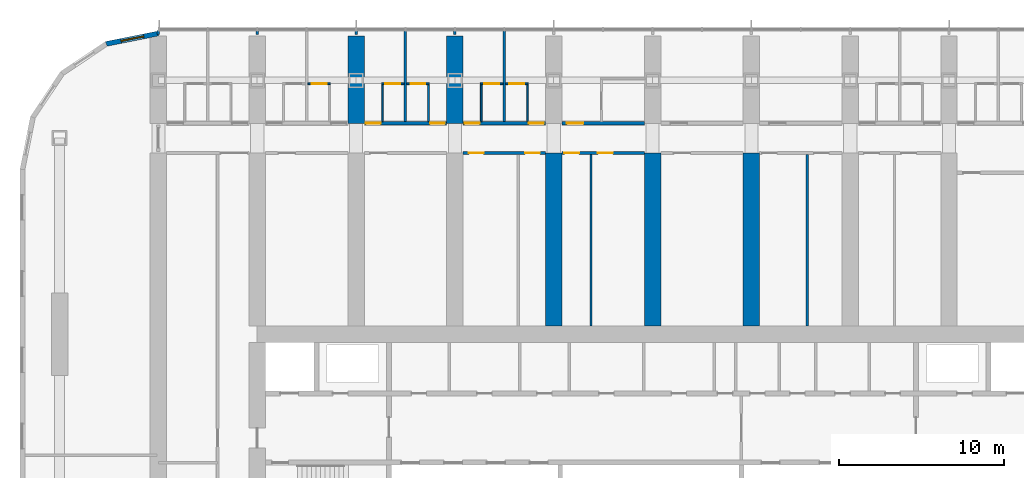
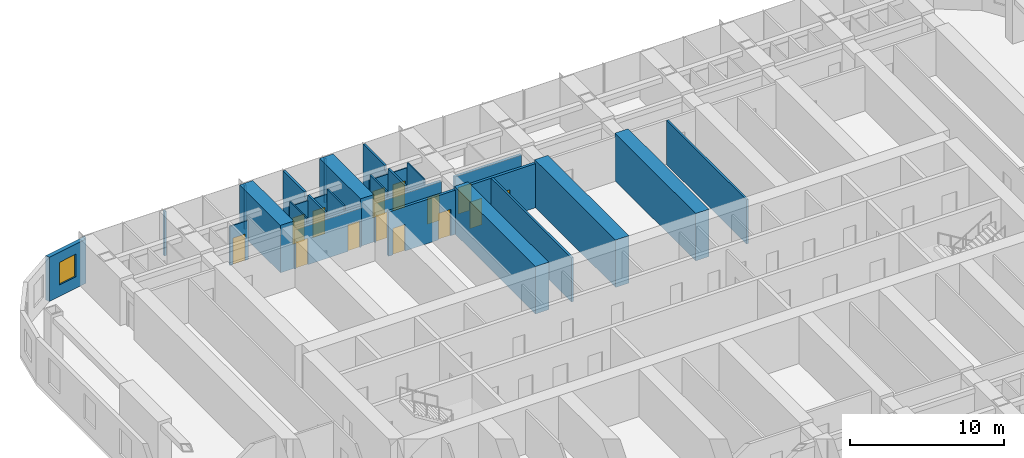
# One storey, part 16 of 25: 28 walls, 14 doors, 1 window, 15 openings.
"""IFC4 building model written with IfcOpenShell, lengths in metres."""

from ifc_helpers import new_model, si_unit, direction, frame, frame_2d, origin, place, context, subcontext, project, spatial, polyline, rectangle, outline, extrude, material, layer, layer_set, type_object, element, fill, save


model = new_model("IFC4")

# Units and contexts
model_context = context("Model", 3, precision=1e-05, world=origin(), true_north=direction((0.0, 1.0)))
body_context = subcontext(model_context, "Body", "Model", "MODEL_VIEW")
ifc_project = project(units=[si_unit("LENGTHUNIT", "METRE"), si_unit("AREAUNIT", "SQUARE_METRE"), si_unit("VOLUMEUNIT", "CUBIC_METRE"), si_unit("PLANEANGLEUNIT", "RADIAN"), si_unit("MASSUNIT", "GRAM", prefix="KILO")], contexts=[model_context])

# Site, building, storey
site_placement = place(None, origin())
site = spatial("IfcSite", under=ifc_project, at=site_placement, CompositionType="ELEMENT")
building_placement = place(site_placement, origin())
building = spatial("IfcBuilding", under=site, at=building_placement, Name="Orbita Commons", CompositionType="ELEMENT")
storey_placement = place(building_placement, frame((0.0, 0.0, 31.449951171875)))
storey = spatial("IfcBuildingStorey", under=building, at=storey_placement, Name="L07", CompositionType="ELEMENT", Elevation=31.449951171875)

# Wall, openings, doors
ifc_material_1 = material(Name="Concrete blockwork", Category="masonry")
ifc_layer_1 = layer(ifc_material_1, 0.199951171875)
ifc_layer_set_1 = layer_set([ifc_layer_1], Name="Concrete blockwork")
wall_type_1 = type_object("IfcWallType", Name="Corridor wall 200 blockwork", PredefinedType="SOLIDWALL", material=ifc_layer_set_1)
wall_1_placement = place(storey_placement, frame((24.5, 51.0, 0.0), z_axis=(0.0, 0.0, 1.0), x_axis=(1.0, 0.0, 0.0)))
wall_1 = element("IfcWall", 1, at=wall_1_placement, inside=storey, type_object=wall_type_1, Name="Corridor wall 200 blockwork L07", PredefinedType="SOLIDWALL", context=body_context, shape_type="SweptSolid", body=[
    extrude(outline(polyline([(0.0, 0.0), (5.0, 0.0), (5.0, 3.10009765625), (0.0, 3.10009765625), (0.0, 0.0)])), frame((0.0, 0.10009765625, 0.0), z_axis=(0.0, -1.0, 0.0), x_axis=(1.0, 0.0, 0.0)), (0.0, 0.0, 1.0), 0.199951171875),
])
opening_1_placement = place(wall_1_placement, frame((0.10009765625, 0.0, 0.0)))
opening_1 = element("IfcOpeningElement", 2, at=opening_1_placement, cuts=wall_1, Name="Opening D11", PredefinedType="OPENING", context=body_context, shape_type="SweptSolid", body=[
    extrude(rectangle(XDim=0.89990234375, YDim=2.10009765625, at=frame_2d((0.449951171875, 1.050048828125))), frame((0.0, 0.10986328125, 0.0), z_axis=(0.0, -1.0, 0.0), x_axis=(1.0, 0.0, 0.0)), (0.0, 0.0, 1.0), 0.219970703125),
])
opening_2_placement = place(wall_1_placement, frame((4.0, 0.0, 0.0)))
opening_2 = element("IfcOpeningElement", 3, at=opening_2_placement, cuts=wall_1, Name="Opening D11", PredefinedType="OPENING", context=body_context, shape_type="SweptSolid", body=[
    extrude(rectangle(XDim=0.89990234375, YDim=2.10009765625, at=frame_2d((0.449951171875, 1.050048828125))), frame((0.0, 0.10986328125, 0.0), z_axis=(0.0, -1.0, 0.0), x_axis=(1.0, 0.0, 0.0)), (0.0, 0.0, 1.0), 0.219970703125),
])
ifc_material_2 = material(Name="Steel-faced fire door leaf", Category="steel")
door_type_1 = type_object("IfcDoorType", Name="Corridor door 20 min 900x2100", OperationType="SINGLE_SWING_LEFT", PredefinedType="DOOR", material=ifc_material_2)
door_1_placement = place(opening_1_placement, origin())
door_1 = element("IfcDoor", 4, at=door_1_placement, inside=storey, type_object=door_type_1, Name="House bedroom L07-N04 door", OperationType="SINGLE_SWING_LEFT", OverallHeight=2.10009765625, OverallWidth=0.89990234375, PredefinedType="DOOR", context=body_context, shape_type="SweptSolid", body=[
    extrude(rectangle(XDim=0.89990234375, YDim=2.10009765625, at=frame_2d((0.449951171875, 1.050048828125))), frame((0.0, 0.02490234375, 0.0), z_axis=(0.0, -1.0, 0.0), x_axis=(1.0, 0.0, 0.0)), (0.0, 0.0, 1.0), 0.050048828125),
])
fill(opening_1, door_1)
door_2_placement = place(opening_2_placement, origin())
door_2 = element("IfcDoor", 5, at=door_2_placement, inside=storey, type_object=door_type_1, Name="House bedroom L07-N05 door", OperationType="SINGLE_SWING_LEFT", OverallHeight=2.10009765625, OverallWidth=0.89990234375, PredefinedType="DOOR", context=body_context, shape_type="SweptSolid", body=[
    extrude(rectangle(XDim=0.89990234375, YDim=2.10009765625, at=frame_2d((0.449951171875, 1.050048828125))), frame((0.0, 0.02490234375, 0.0), z_axis=(0.0, -1.0, 0.0), x_axis=(1.0, 0.0, 0.0)), (0.0, 0.0, 1.0), 0.050048828125),
])
fill(opening_2, door_2)

wall_2_placement = place(storey_placement, frame((30.5, 51.0, 0.0), z_axis=(0.0, 0.0, 1.0), x_axis=(1.0, 0.0, 0.0)))
wall_2 = element("IfcWall", 6, at=wall_2_placement, inside=storey, type_object=wall_type_1, Name="Corridor wall 200 blockwork L07", PredefinedType="SOLIDWALL", context=body_context, shape_type="SweptSolid", body=[
    extrude(outline(polyline([(0.0, 0.0), (5.0, 0.0), (5.0, 3.10009765625), (0.0, 3.10009765625), (0.0, 0.0)])), frame((0.0, 0.10009765625, 0.0), z_axis=(0.0, -1.0, 0.0), x_axis=(1.0, 0.0, 0.0)), (0.0, 0.0, 1.0), 0.199951171875),
])
opening_3_placement = place(wall_2_placement, frame((0.10009765625, 0.0, 0.0)))
opening_3 = element("IfcOpeningElement", 7, at=opening_3_placement, cuts=wall_2, Name="Opening D11", PredefinedType="OPENING", context=body_context, shape_type="SweptSolid", body=[
    extrude(rectangle(XDim=0.89990234375, YDim=2.10009765625, at=frame_2d((0.449951171875, 1.050048828125))), frame((0.0, 0.10986328125, 0.0), z_axis=(0.0, -1.0, 0.0), x_axis=(1.0, 0.0, 0.0)), (0.0, 0.0, 1.0), 0.219970703125),
])
opening_4_placement = place(wall_2_placement, frame((4.0, 0.0, 0.0)))
opening_4 = element("IfcOpeningElement", 8, at=opening_4_placement, cuts=wall_2, Name="Opening D11", PredefinedType="OPENING", context=body_context, shape_type="SweptSolid", body=[
    extrude(rectangle(XDim=0.89990234375, YDim=2.10009765625, at=frame_2d((0.449951171875, 1.050048828125))), frame((0.0, 0.10986328125, 0.0), z_axis=(0.0, -1.0, 0.0), x_axis=(1.0, 0.0, 0.0)), (0.0, 0.0, 1.0), 0.219970703125),
])
door_3_placement = place(opening_3_placement, origin())
door_3 = element("IfcDoor", 9, at=door_3_placement, inside=storey, type_object=door_type_1, Name="House bedroom L07-N06 door", OperationType="SINGLE_SWING_LEFT", OverallHeight=2.10009765625, OverallWidth=0.89990234375, PredefinedType="DOOR", context=body_context, shape_type="SweptSolid", body=[
    extrude(rectangle(XDim=0.89990234375, YDim=2.10009765625, at=frame_2d((0.449951171875, 1.050048828125))), frame((0.0, 0.02490234375, 0.0), z_axis=(0.0, -1.0, 0.0), x_axis=(1.0, 0.0, 0.0)), (0.0, 0.0, 1.0), 0.050048828125),
])
fill(opening_3, door_3)
door_4_placement = place(opening_4_placement, origin())
door_4 = element("IfcDoor", 10, at=door_4_placement, inside=storey, type_object=door_type_1, Name="House bedroom L07-N07 door", OperationType="SINGLE_SWING_LEFT", OverallHeight=2.10009765625, OverallWidth=0.89990234375, PredefinedType="DOOR", context=body_context, shape_type="SweptSolid", body=[
    extrude(rectangle(XDim=0.89990234375, YDim=2.10009765625, at=frame_2d((0.449951171875, 1.050048828125))), frame((0.0, 0.02490234375, 0.0), z_axis=(0.0, -1.0, 0.0), x_axis=(1.0, 0.0, 0.0)), (0.0, 0.0, 1.0), 0.050048828125),
])
fill(opening_4, door_4)

# Wall, opening, door
wall_3_placement = place(storey_placement, frame((36.5, 51.0, 0.0), z_axis=(0.0, 0.0, 1.0), x_axis=(1.0, 0.0, 0.0)))
wall_3 = element("IfcWall", 11, at=wall_3_placement, inside=storey, type_object=wall_type_1, Name="Corridor wall 200 blockwork L07", PredefinedType="SOLIDWALL", context=body_context, shape_type="SweptSolid", body=[
    extrude(outline(polyline([(0.0, 0.0), (5.0, 0.0), (5.0, 3.10009765625), (0.0, 3.10009765625), (0.0, 0.0)])), frame((0.0, 0.10009765625, 0.0), z_axis=(0.0, -1.0, 0.0), x_axis=(1.0, 0.0, 0.0)), (0.0, 0.0, 1.0), 0.199951171875),
])
opening_5_placement = place(wall_3_placement, frame((0.300048828125, 0.0, 0.0)))
opening_5 = element("IfcOpeningElement", 12, at=opening_5_placement, cuts=wall_3, Name="Opening D06", PredefinedType="OPENING", context=body_context, shape_type="SweptSolid", body=[
    extrude(rectangle(XDim=1.0, YDim=2.10009765625, at=frame_2d((0.5, 1.050048828125))), frame((0.0, 0.10986328125, 0.0), z_axis=(0.0, -1.0, 0.0), x_axis=(1.0, 0.0, 0.0)), (0.0, 0.0, 1.0), 0.219970703125),
])
ifc_material_3 = material(Name="Steel-faced fire door leaf", Category="steel")
door_type_2 = type_object("IfcDoorType", Name="Corridor door 20 min 1000x2100", OperationType="SINGLE_SWING_LEFT", PredefinedType="DOOR", material=ifc_material_3)
door_5_placement = place(opening_5_placement, origin())
door_5 = element("IfcDoor", 13, at=door_5_placement, inside=storey, type_object=door_type_2, Name="Accessible bedroom L07-N08 door", OperationType="SINGLE_SWING_LEFT", OverallHeight=2.10009765625, OverallWidth=1.0, PredefinedType="DOOR", context=body_context, shape_type="SweptSolid", body=[
    extrude(rectangle(XDim=1.0, YDim=2.10009765625, at=frame_2d((0.5, 1.050048828125))), frame((0.0, 0.02490234375, 0.0), z_axis=(0.0, -1.0, 0.0), x_axis=(1.0, 0.0, 0.0)), (0.0, 0.0, 1.0), 0.050048828125),
])
fill(opening_5, door_5)

# Wall, openings, doors
ifc_material_4 = material(Name="Hollow concrete block 200", Category="concrete")
ifc_layer_2 = layer(ifc_material_4, 0.199951171875)
ifc_layer_set_2 = layer_set([ifc_layer_2], Name="Hollow concrete block 200")
wall_type_2 = type_object("IfcWallType", Name="Corridor wall 200 hollow concrete block", PredefinedType="SOLIDWALL", material=ifc_layer_set_2)
wall_4_placement = place(storey_placement, frame((30.5, 49.199951171875, 0.0), z_axis=(0.0, 0.0, 1.0), x_axis=(1.0, 0.0, 0.0)))
wall_4 = element("IfcWall", 14, at=wall_4_placement, inside=storey, type_object=wall_type_2, Name="Corridor wall 200 hollow concrete block L07", PredefinedType="SOLIDWALL", context=body_context, shape_type="SweptSolid", body=[
    extrude(rectangle(XDim=5.0, YDim=0.199951171875, at=frame_2d((2.5, 0.0))), origin(), (0.0, 0.0, 1.0), 3.5),
])
opening_6_placement = place(wall_4_placement, frame((0.35009765625, 0.0, 0.0)))
opening_6 = element("IfcOpeningElement", 15, at=opening_6_placement, cuts=wall_4, Name="Opening D11", PredefinedType="OPENING", context=body_context, shape_type="SweptSolid", body=[
    extrude(rectangle(XDim=0.89990234375, YDim=2.10009765625, at=frame_2d((0.449951171875, 1.050048828125))), frame((0.0, 0.10986328125, 0.0), z_axis=(0.0, -1.0, 0.0), x_axis=(1.0, 0.0, 0.0)), (0.0, 0.0, 1.0), 0.219970703125),
])
opening_7_placement = place(wall_4_placement, frame((3.760009765625, 0.0, 0.0)))
opening_7 = element("IfcOpeningElement", 16, at=opening_7_placement, cuts=wall_4, Name="Opening D11", PredefinedType="OPENING", context=body_context, shape_type="SweptSolid", body=[
    extrude(rectangle(XDim=0.89990234375, YDim=2.10009765625, at=frame_2d((0.449951171875, 1.050048828125))), frame((0.0, 0.10986328125, 0.0), z_axis=(0.0, -1.0, 0.0), x_axis=(1.0, 0.0, 0.0)), (0.0, 0.0, 1.0), 0.219970703125),
])
door_6_placement = place(opening_6_placement, origin())
door_6 = element("IfcDoor", 17, at=door_6_placement, inside=storey, type_object=door_type_1, Name="Bulk and luggage store L07-BDN30 door", OperationType="SINGLE_SWING_LEFT", OverallHeight=2.10009765625, OverallWidth=0.89990234375, PredefinedType="DOOR", context=body_context, shape_type="SweptSolid", body=[
    extrude(rectangle(XDim=0.89990234375, YDim=2.10009765625, at=frame_2d((0.449951171875, 1.050048828125))), frame((0.0, 0.02490234375, 0.0), z_axis=(0.0, -1.0, 0.0), x_axis=(1.0, 0.0, 0.0)), (0.0, 0.0, 1.0), 0.050048828125),
])
fill(opening_6, door_6)
door_7_placement = place(opening_7_placement, origin())
door_7 = element("IfcDoor", 18, at=door_7_placement, inside=storey, type_object=door_type_1, Name="Battery and UPS room L07-BDN30n door", OperationType="SINGLE_SWING_LEFT", OverallHeight=2.10009765625, OverallWidth=0.89990234375, PredefinedType="DOOR", context=body_context, shape_type="SweptSolid", body=[
    extrude(rectangle(XDim=0.89990234375, YDim=2.10009765625, at=frame_2d((0.449951171875, 1.050048828125))), frame((0.0, 0.02490234375, 0.0), z_axis=(0.0, -1.0, 0.0), x_axis=(1.0, 0.0, 0.0)), (0.0, 0.0, 1.0), 0.050048828125),
])
fill(opening_7, door_7)

wall_5_placement = place(storey_placement, frame((36.5, 49.199951171875, 0.0), z_axis=(0.0, 0.0, 1.0), x_axis=(1.0, 0.0, 0.0)))
wall_5 = element("IfcWall", 19, at=wall_5_placement, inside=storey, type_object=wall_type_2, Name="Corridor wall 200 hollow concrete block L07", PredefinedType="SOLIDWALL", context=body_context, shape_type="SweptSolid", body=[
    extrude(rectangle(XDim=5.0, YDim=0.199951171875, at=frame_2d((2.5, 0.0))), origin(), (0.0, 0.0, 1.0), 3.5),
])
opening_8_placement = place(wall_5_placement, frame((0.14990234375, 0.0, 0.0)))
opening_8 = element("IfcOpeningElement", 20, at=opening_8_placement, cuts=wall_5, Name="Opening D11", PredefinedType="OPENING", context=body_context, shape_type="SweptSolid", body=[
    extrude(rectangle(XDim=0.89990234375, YDim=2.10009765625, at=frame_2d((0.449951171875, 1.050048828125))), frame((0.0, 0.10986328125, 0.0), z_axis=(0.0, -1.0, 0.0), x_axis=(1.0, 0.0, 0.0)), (0.0, 0.0, 1.0), 0.219970703125),
])
opening_9_placement = place(wall_5_placement, frame((2.18994140625, 0.0, 0.0)))
opening_9 = element("IfcOpeningElement", 21, at=opening_9_placement, cuts=wall_5, Name="Opening D11", PredefinedType="OPENING", context=body_context, shape_type="SweptSolid", body=[
    extrude(rectangle(XDim=0.89990234375, YDim=2.10009765625, at=frame_2d((0.449951171875, 1.050048828125))), frame((0.0, 0.10986328125, 0.0), z_axis=(0.0, -1.0, 0.0), x_axis=(1.0, 0.0, 0.0)), (0.0, 0.0, 1.0), 0.219970703125),
])
door_8_placement = place(opening_8_placement, origin())
door_8 = element("IfcDoor", 22, at=door_8_placement, inside=storey, type_object=door_type_1, Name="Sprinkler valve room L07-BDN36n door", OperationType="SINGLE_SWING_LEFT", OverallHeight=2.10009765625, OverallWidth=0.89990234375, PredefinedType="DOOR", context=body_context, shape_type="SweptSolid", body=[
    extrude(rectangle(XDim=0.89990234375, YDim=2.10009765625, at=frame_2d((0.449951171875, 1.050048828125))), frame((0.0, 0.02490234375, 0.0), z_axis=(0.0, -1.0, 0.0), x_axis=(1.0, 0.0, 0.0)), (0.0, 0.0, 1.0), 0.050048828125),
])
fill(opening_8, door_8)
door_9_placement = place(opening_9_placement, origin())
door_9 = element("IfcDoor", 23, at=door_9_placement, inside=storey, type_object=door_type_1, Name="Linen store L07-BDN36 door", OperationType="SINGLE_SWING_LEFT", OverallHeight=2.10009765625, OverallWidth=0.89990234375, PredefinedType="DOOR", context=body_context, shape_type="SweptSolid", body=[
    extrude(rectangle(XDim=0.89990234375, YDim=2.10009765625, at=frame_2d((0.449951171875, 1.050048828125))), frame((0.0, 0.02490234375, 0.0), z_axis=(0.0, -1.0, 0.0), x_axis=(1.0, 0.0, 0.0)), (0.0, 0.0, 1.0), 0.050048828125),
])
fill(opening_9, door_9)

# Walls
ifc_material_5 = material(Name="Concrete C50/60", Category="concrete")
ifc_layer_3 = layer(ifc_material_5, 1.0)
ifc_layer_set_3 = layer_set([ifc_layer_3], Name="Concrete C50/60")
wall_type_3 = type_object("IfcWallType", Name="Cross wall 1000 C50/60", PredefinedType="SHEAR", material=ifc_layer_set_3)
for number, where, z_axis, x_axis, name in (
    (24, (24.0, 51.0, 0.0), (0.0, 0.0, 1.0), (0.0, 1.0, 0.0), "Cross wall 5 north outer L07"),
    (25, (30.0, 51.0, 0.0), (0.0, 0.0, 1.0), (0.0, 1.0, 0.0), "Cross wall 6 north outer L07"),
):
    element("IfcWall", number, at=place(storey_placement, frame(where, z_axis=z_axis, x_axis=x_axis)), inside=storey, type_object=wall_type_3, Name=name, PredefinedType="SHEAR", context=body_context, shape_type="SweptSolid", body=[
        extrude(rectangle(XDim=5.300048828125, YDim=1.0, at=frame_2d((2.64990234375, 0.0))), origin(), (0.0, 0.0, 1.0), 3.75),
    ])
for number, where, z_axis, x_axis, name in (
    (26, (36.0, 38.699951171875, 0.0), (0.0, 0.0, 1.0), (0.0, 1.0, 0.0), "Cross wall 7 north inner L07"),
    (27, (42.0, 38.699951171875, 0.0), (0.0, 0.0, 1.0), (0.0, 1.0, 0.0), "Cross wall 8 north inner L07"),
    (28, (48.0, 38.699951171875, 0.0), (0.0, 0.0, 1.0), (0.0, 1.0, 0.0), "Cross wall 9 north inner L07"),
):
    element("IfcWall", number, at=place(storey_placement, frame(where, z_axis=z_axis, x_axis=x_axis)), inside=storey, type_object=wall_type_3, Name=name, PredefinedType="SHEAR", context=body_context, shape_type="SweptSolid", body=[
        extrude(rectangle(XDim=10.5, YDim=1.0, at=frame_2d((5.25, 0.0))), origin(), (0.0, 0.0, 1.0), 3.75),
    ])

# Wall, opening, door
ifc_material_6 = material(Name="Moisture-resistant plasterboard on steel studs", Category="steel")
ifc_layer_4 = layer(ifc_material_6, 0.10009765625)
ifc_layer_set_4 = layer_set([ifc_layer_4], Name="Moisture-resistant plasterboard on steel studs")
wall_type_4 = type_object("IfcWallType", Name="En-suite partition 100", PredefinedType="PARTITIONING", material=ifc_layer_set_4)
wall_6_placement = place(storey_placement, frame((21.074951171875, 53.40185546875, 0.0), z_axis=(0.0, 0.0, 1.0), x_axis=(1.0, 0.0, 0.0)))
wall_6 = element("IfcWall", 29, at=wall_6_placement, inside=storey, type_object=wall_type_4, Name="En-suite partition 100 L07", PredefinedType="PARTITIONING", context=body_context, shape_type="SweptSolid", body=[
    extrude(outline(polyline([(0.0, 0.0), (1.375, 0.0), (1.375, 3.10009765625), (0.0, 3.10009765625), (0.0, 0.0)])), frame((0.0, 0.050048828125, 0.0), z_axis=(0.0, -1.0, 0.0), x_axis=(1.0, 0.0, 0.0)), (0.0, 0.0, 1.0), 0.10009765625),
])
opening_10_placement = place(wall_6_placement, frame((0.237548828125, 0.0, 0.0)))
opening_10 = element("IfcOpeningElement", 30, at=opening_10_placement, cuts=wall_6, Name="Opening D09", PredefinedType="OPENING", context=body_context, shape_type="SweptSolid", body=[
    extrude(rectangle(XDim=0.89990234375, YDim=2.10009765625, at=frame_2d((0.449951171875, 1.050048828125))), frame((0.0, 0.06005859375, 0.0), z_axis=(0.0, -1.0, 0.0), x_axis=(1.0, 0.0, 0.0)), (0.0, 0.0, 1.0), 0.1201171875),
])
ifc_material_7 = material(Name="Laminated timber door leaf", Category="wood")
door_type_3 = type_object("IfcDoorType", Name="En-suite door 900x2100", OperationType="SINGLE_SWING_RIGHT", PredefinedType="DOOR", material=ifc_material_7)
door_10_placement = place(opening_10_placement, origin())
door_10 = element("IfcDoor", 31, at=door_10_placement, inside=storey, type_object=door_type_3, Name="En-suite L07-N03 door", OperationType="SINGLE_SWING_RIGHT", OverallHeight=2.10009765625, OverallWidth=0.89990234375, PredefinedType="DOOR", context=body_context, shape_type="SweptSolid", body=[
    extrude(rectangle(XDim=0.89990234375, YDim=2.10009765625, at=frame_2d((0.449951171875, 1.050048828125))), frame((0.0, 0.02490234375, 0.0), z_axis=(0.0, -1.0, 0.0), x_axis=(1.0, 0.0, 0.0)), (0.0, 0.0, 1.0), 0.050048828125),
])
fill(opening_10, door_10)

wall_7_placement = place(storey_placement, frame((25.550048828125, 53.40185546875, 0.0), z_axis=(0.0, 0.0, 1.0), x_axis=(1.0, 0.0, 0.0)))
wall_7 = element("IfcWall", 32, at=wall_7_placement, inside=storey, type_object=wall_type_4, Name="En-suite partition 100 L07", PredefinedType="PARTITIONING", context=body_context, shape_type="SweptSolid", body=[
    extrude(outline(polyline([(0.0, 0.0), (1.375, 0.0), (1.375, 3.10009765625), (0.0, 3.10009765625), (0.0, 0.0)])), frame((0.0, 0.050048828125, 0.0), z_axis=(0.0, -1.0, 0.0), x_axis=(1.0, 0.0, 0.0)), (0.0, 0.0, 1.0), 0.10009765625),
])
opening_11_placement = place(wall_7_placement, frame((0.237548828125, 0.0, 0.0)))
opening_11 = element("IfcOpeningElement", 33, at=opening_11_placement, cuts=wall_7, Name="Opening D09", PredefinedType="OPENING", context=body_context, shape_type="SweptSolid", body=[
    extrude(rectangle(XDim=0.89990234375, YDim=2.10009765625, at=frame_2d((0.449951171875, 1.050048828125))), frame((0.0, 0.06005859375, 0.0), z_axis=(0.0, -1.0, 0.0), x_axis=(1.0, 0.0, 0.0)), (0.0, 0.0, 1.0), 0.1201171875),
])
door_11_placement = place(opening_11_placement, origin())
door_11 = element("IfcDoor", 34, at=door_11_placement, inside=storey, type_object=door_type_3, Name="En-suite L07-N04 door", OperationType="SINGLE_SWING_RIGHT", OverallHeight=2.10009765625, OverallWidth=0.89990234375, PredefinedType="DOOR", context=body_context, shape_type="SweptSolid", body=[
    extrude(rectangle(XDim=0.89990234375, YDim=2.10009765625, at=frame_2d((0.449951171875, 1.050048828125))), frame((0.0, 0.02490234375, 0.0), z_axis=(0.0, -1.0, 0.0), x_axis=(1.0, 0.0, 0.0)), (0.0, 0.0, 1.0), 0.050048828125),
])
fill(opening_11, door_11)

# Wall
wall_8_placement = place(storey_placement, frame((25.60009765625, 53.351806640625, 0.0), z_axis=(0.0, 0.0, 1.0), x_axis=(0.0, -1.0, 0.0)))
element("IfcWall", 35, at=wall_8_placement, inside=storey, type_object=wall_type_4, Name="En-suite partition 100 L07", PredefinedType="PARTITIONING", context=body_context, shape_type="SweptSolid", body=[
    extrude(outline(polyline([(0.0, 0.0), (2.251708984375, 0.0), (2.251953125, 3.10009765625), (2.203857421875, 3.10009765625), (2.201904296875, 3.5), (0.0, 3.5), (0.0, 0.0)])), frame((0.0, 0.050048828125, 0.0), z_axis=(0.0, -1.0, 0.0), x_axis=(1.0, 0.0, 0.0)), (0.0, 0.0, 1.0), 0.10009765625),
])

# Wall, opening, door
wall_9_placement = place(storey_placement, frame((27.074951171875, 53.40185546875, 0.0), z_axis=(0.0, 0.0, 1.0), x_axis=(1.0, 0.0, 0.0)))
wall_9 = element("IfcWall", 36, at=wall_9_placement, inside=storey, type_object=wall_type_4, Name="En-suite partition 100 L07", PredefinedType="PARTITIONING", context=body_context, shape_type="SweptSolid", body=[
    extrude(outline(polyline([(0.0, 0.0), (1.375, 0.0), (1.375, 3.10009765625), (0.0, 3.10009765625), (0.0, 0.0)])), frame((0.0, 0.050048828125, 0.0), z_axis=(0.0, -1.0, 0.0), x_axis=(1.0, 0.0, 0.0)), (0.0, 0.0, 1.0), 0.10009765625),
])
opening_12_placement = place(wall_9_placement, frame((0.237548828125, 0.0, 0.0)))
opening_12 = element("IfcOpeningElement", 37, at=opening_12_placement, cuts=wall_9, Name="Opening D09", PredefinedType="OPENING", context=body_context, shape_type="SweptSolid", body=[
    extrude(rectangle(XDim=0.89990234375, YDim=2.10009765625, at=frame_2d((0.449951171875, 1.050048828125))), frame((0.0, 0.06005859375, 0.0), z_axis=(0.0, -1.0, 0.0), x_axis=(1.0, 0.0, 0.0)), (0.0, 0.0, 1.0), 0.1201171875),
])
door_12_placement = place(opening_12_placement, origin())
door_12 = element("IfcDoor", 38, at=door_12_placement, inside=storey, type_object=door_type_3, Name="En-suite L07-N05 door", OperationType="SINGLE_SWING_RIGHT", OverallHeight=2.10009765625, OverallWidth=0.89990234375, PredefinedType="DOOR", context=body_context, shape_type="SweptSolid", body=[
    extrude(rectangle(XDim=0.89990234375, YDim=2.10009765625, at=frame_2d((0.449951171875, 1.050048828125))), frame((0.0, 0.02490234375, 0.0), z_axis=(0.0, -1.0, 0.0), x_axis=(1.0, 0.0, 0.0)), (0.0, 0.0, 1.0), 0.050048828125),
])
fill(opening_12, door_12)

# Wall
wall_10_placement = place(storey_placement, frame((28.39990234375, 53.351806640625, 0.0), z_axis=(0.0, 0.0, 1.0), x_axis=(0.0, -1.0, 0.0)))
element("IfcWall", 39, at=wall_10_placement, inside=storey, type_object=wall_type_4, Name="En-suite partition 100 L07", PredefinedType="PARTITIONING", context=body_context, shape_type="SweptSolid", body=[
    extrude(outline(polyline([(0.0, 0.0), (2.251708984375, 0.0), (2.251953125, 3.10009765625), (2.203857421875, 3.10009765625), (2.201904296875, 3.5), (0.0, 3.5), (0.0, 0.0)])), frame((0.0, 0.050048828125, 0.0), z_axis=(0.0, -1.0, 0.0), x_axis=(1.0, 0.0, 0.0)), (0.0, 0.0, 1.0), 0.10009765625),
])

# Wall, opening, door
wall_11_placement = place(storey_placement, frame((31.550048828125, 53.40185546875, 0.0), z_axis=(0.0, 0.0, 1.0), x_axis=(1.0, 0.0, 0.0)))
wall_11 = element("IfcWall", 40, at=wall_11_placement, inside=storey, type_object=wall_type_4, Name="En-suite partition 100 L07", PredefinedType="PARTITIONING", context=body_context, shape_type="SweptSolid", body=[
    extrude(outline(polyline([(0.0, 0.0), (1.375, 0.0), (1.375, 3.10009765625), (0.0, 3.10009765625), (0.0, 0.0)])), frame((0.0, 0.050048828125, 0.0), z_axis=(0.0, -1.0, 0.0), x_axis=(1.0, 0.0, 0.0)), (0.0, 0.0, 1.0), 0.10009765625),
])
opening_13_placement = place(wall_11_placement, frame((0.237548828125, 0.0, 0.0)))
opening_13 = element("IfcOpeningElement", 41, at=opening_13_placement, cuts=wall_11, Name="Opening D09", PredefinedType="OPENING", context=body_context, shape_type="SweptSolid", body=[
    extrude(rectangle(XDim=0.89990234375, YDim=2.10009765625, at=frame_2d((0.449951171875, 1.050048828125))), frame((0.0, 0.06005859375, 0.0), z_axis=(0.0, -1.0, 0.0), x_axis=(1.0, 0.0, 0.0)), (0.0, 0.0, 1.0), 0.1201171875),
])
door_13_placement = place(opening_13_placement, origin())
door_13 = element("IfcDoor", 42, at=door_13_placement, inside=storey, type_object=door_type_3, Name="En-suite L07-N06 door", OperationType="SINGLE_SWING_RIGHT", OverallHeight=2.10009765625, OverallWidth=0.89990234375, PredefinedType="DOOR", context=body_context, shape_type="SweptSolid", body=[
    extrude(rectangle(XDim=0.89990234375, YDim=2.10009765625, at=frame_2d((0.449951171875, 1.050048828125))), frame((0.0, 0.02490234375, 0.0), z_axis=(0.0, -1.0, 0.0), x_axis=(1.0, 0.0, 0.0)), (0.0, 0.0, 1.0), 0.050048828125),
])
fill(opening_13, door_13)

# Wall
wall_12_placement = place(storey_placement, frame((31.60009765625, 53.351806640625, 0.0), z_axis=(0.0, 0.0, 1.0), x_axis=(0.0, -1.0, 0.0)))
element("IfcWall", 43, at=wall_12_placement, inside=storey, type_object=wall_type_4, Name="En-suite partition 100 L07", PredefinedType="PARTITIONING", context=body_context, shape_type="SweptSolid", body=[
    extrude(outline(polyline([(0.0, 0.0), (2.251708984375, 0.0), (2.251953125, 3.10009765625), (2.203857421875, 3.10009765625), (2.201904296875, 3.5), (0.0, 3.5), (0.0, 0.0)])), frame((0.0, 0.050048828125, 0.0), z_axis=(0.0, -1.0, 0.0), x_axis=(1.0, 0.0, 0.0)), (0.0, 0.0, 1.0), 0.10009765625),
])

# Wall, opening, door
wall_13_placement = place(storey_placement, frame((33.074951171875, 53.40185546875, 0.0), z_axis=(0.0, 0.0, 1.0), x_axis=(1.0, 0.0, 0.0)))
wall_13 = element("IfcWall", 44, at=wall_13_placement, inside=storey, type_object=wall_type_4, Name="En-suite partition 100 L07", PredefinedType="PARTITIONING", context=body_context, shape_type="SweptSolid", body=[
    extrude(outline(polyline([(0.0, 0.0), (1.375, 0.0), (1.375, 3.10009765625), (0.0, 3.10009765625), (0.0, 0.0)])), frame((0.0, 0.050048828125, 0.0), z_axis=(0.0, -1.0, 0.0), x_axis=(1.0, 0.0, 0.0)), (0.0, 0.0, 1.0), 0.10009765625),
])
opening_14_placement = place(wall_13_placement, frame((0.237548828125, 0.0, 0.0)))
opening_14 = element("IfcOpeningElement", 45, at=opening_14_placement, cuts=wall_13, Name="Opening D09", PredefinedType="OPENING", context=body_context, shape_type="SweptSolid", body=[
    extrude(rectangle(XDim=0.89990234375, YDim=2.10009765625, at=frame_2d((0.449951171875, 1.050048828125))), frame((0.0, 0.06005859375, 0.0), z_axis=(0.0, -1.0, 0.0), x_axis=(1.0, 0.0, 0.0)), (0.0, 0.0, 1.0), 0.1201171875),
])
door_14_placement = place(opening_14_placement, origin())
door_14 = element("IfcDoor", 46, at=door_14_placement, inside=storey, type_object=door_type_3, Name="En-suite L07-N07 door", OperationType="SINGLE_SWING_RIGHT", OverallHeight=2.10009765625, OverallWidth=0.89990234375, PredefinedType="DOOR", context=body_context, shape_type="SweptSolid", body=[
    extrude(rectangle(XDim=0.89990234375, YDim=2.10009765625, at=frame_2d((0.449951171875, 1.050048828125))), frame((0.0, 0.02490234375, 0.0), z_axis=(0.0, -1.0, 0.0), x_axis=(1.0, 0.0, 0.0)), (0.0, 0.0, 1.0), 0.050048828125),
])
fill(opening_14, door_14)

# Walls
wall_14_placement = place(storey_placement, frame((34.39990234375, 53.351806640625, 0.0), z_axis=(0.0, 0.0, 1.0), x_axis=(0.0, -1.0, 0.0)))
element("IfcWall", 47, at=wall_14_placement, inside=storey, type_object=wall_type_4, Name="En-suite partition 100 L07", PredefinedType="PARTITIONING", context=body_context, shape_type="SweptSolid", body=[
    extrude(outline(polyline([(0.0, 0.0), (2.251708984375, 0.0), (2.251953125, 3.10009765625), (2.203857421875, 3.10009765625), (2.201904296875, 3.5), (0.0, 3.5), (0.0, 0.0)])), frame((0.0, 0.050048828125, 0.0), z_axis=(0.0, -1.0, 0.0), x_axis=(1.0, 0.0, 0.0)), (0.0, 0.0, 1.0), 0.10009765625),
])
ifc_material_8 = material(Name="Gypsum plasterboard on steel studs", Category="steel")
ifc_layer_5 = layer(ifc_material_8, 0.14990234375)
ifc_layer_set_5 = layer_set([ifc_layer_5], Name="Gypsum plasterboard on steel studs")
wall_type_5 = type_object("IfcWallType", Name="Partition 150 plasterboard", PredefinedType="PARTITIONING", material=ifc_layer_set_5)
for number, where, z_axis, x_axis, name in (
    (48, (38.264892578125, 38.699951171875, 0.0), (0.0, 0.0, 1.0), (0.0, 1.0, 0.0), "Partition 150 plasterboard L07"),
    (49, (51.3798828125, 38.699951171875, 0.0), (0.0, 0.0, 1.0), (0.0, 1.0, 0.0), "Partition 150 plasterboard L07"),
):
    element("IfcWall", number, at=place(storey_placement, frame(where, z_axis=z_axis, x_axis=x_axis)), inside=storey, type_object=wall_type_5, Name=name, PredefinedType="PARTITIONING", context=body_context, shape_type="SweptSolid", body=[
        extrude(rectangle(XDim=10.400146484375, YDim=0.14990234375, at=frame_2d((5.2001953125, 0.0))), origin(), (0.0, 0.0, 1.0), 3.5),
    ])
wall_15_placement = place(storey_placement, frame((12.0, 56.39990234375, 0.0), z_axis=(0.0, 0.0, 1.0), x_axis=(0.0, 1.0, 0.0)))
element("IfcWall", 50, at=wall_15_placement, inside=storey, type_object=wall_type_5, Name="Partition 150 plasterboard L07", PredefinedType="PARTITIONING", context=body_context, shape_type="SweptSolid", body=[
    extrude(rectangle(XDim=0.22021484375, YDim=0.14990234375, at=frame_2d((0.110107421875, 0.0))), origin(), (0.0, 0.0, 1.0), 3.5),
])
for number, where, z_axis, x_axis, name in (
    (51, (18.0, 56.39990234375, 0.0), (0.0, 0.0, 1.0), (0.0, 1.0, 0.0), "Partition 150 plasterboard L07"),
    (52, (24.0, 56.39990234375, 0.0), (0.0, 0.0, 1.0), (0.0, 1.0, 0.0), "Partition 150 plasterboard L07"),
    (53, (30.0, 56.39990234375, 0.0), (0.0, 0.0, 1.0), (0.0, 1.0, 0.0), "Partition 150 plasterboard L07"),
):
    element("IfcWall", number, at=place(storey_placement, frame(where, z_axis=z_axis, x_axis=x_axis)), inside=storey, type_object=wall_type_5, Name=name, PredefinedType="PARTITIONING", context=body_context, shape_type="SweptSolid", body=[
        extrude(rectangle(XDim=0.190185546875, YDim=0.14990234375, at=frame_2d((0.09521484375, 0.0))), origin(), (0.0, 0.0, 1.0), 3.5),
    ])
ifc_material_9 = material(Name="Gypsum plasterboard on steel studs", Category="steel")
ifc_layer_6 = layer(ifc_material_9, 0.14990234375)
ifc_layer_set_6 = layer_set([ifc_layer_6], Name="Gypsum plasterboard on steel studs")
wall_type_6 = type_object("IfcWallType", Name="Party wall 150 plasterboard", PredefinedType="PARTITIONING", material=ifc_layer_set_6)
for number, where, z_axis, x_axis, name in (
    (54, (27.0, 56.590087890625, 0.0), (0.0, 0.0, 1.0), (0.0, -1.0, 0.0), "Party wall 150 plasterboard L07"),
    (55, (33.0, 56.590087890625, 0.0), (0.0, 0.0, 1.0), (0.0, -1.0, 0.0), "Party wall 150 plasterboard L07"),
):
    element("IfcWall", number, at=place(storey_placement, frame(where, z_axis=z_axis, x_axis=x_axis)), inside=storey, type_object=wall_type_6, Name=name, PredefinedType="PARTITIONING", context=body_context, shape_type="SweptSolid", body=[
        extrude(outline(polyline([(0.0, 0.0), (5.489990234375, 0.0), (5.489990234375, 3.10009765625), (5.44189453125, 3.10009765625), (5.43994140625, 3.5), (3.19189453125, 3.5), (3.18994140625, 3.10009765625), (2.7919921875, 3.10009765625), (2.7900390625, 3.5), (0.0, 3.5), (0.0, 0.0)])), frame((0.0, 0.074951171875, 0.0), z_axis=(0.0, -1.0, 0.0), x_axis=(1.0, 0.0, 0.0)), (0.0, 0.0, 1.0), 0.14990234375),
    ])

# Wall, opening, window
ifc_material_10 = material(Name="Precast concrete C40/50, white board-marked finish", Category="concrete")
ifc_layer_7 = layer(ifc_material_10, 0.300048828125)
ifc_layer_set_7 = layer_set([ifc_layer_7], Name="Precast concrete C40/50, white board-marked finish")
wall_type_7 = type_object("IfcWallType", Name="Precast concrete end shield 300", PredefinedType="SOLIDWALL", material=ifc_layer_set_7)
wall_16_placement = place(storey_placement, frame((12.0, 56.449951171875, 0.0), z_axis=(0.0, 0.0, 1.0), x_axis=(-0.980787251524, -0.195080412259, 0.0)))
wall_16 = element("IfcWall", 56, at=wall_16_placement, inside=storey, type_object=wall_type_7, Name="End shield NW chord 1 L07", PredefinedType="SOLIDWALL", context=body_context, shape_type="SweptSolid", body=[
    extrude(outline(polyline([(-0.02978515625, -0.14990234375), (3.24853515625, -0.14990234375), (3.18896484375, 0.14990234375), (0.02978515625, 0.14990234375), (-0.02978515625, -0.14990234375)])), origin(), (0.0, 0.0, 1.0), 3.5),
])
opening_15_placement = place(wall_16_placement, frame((0.909423828125, 0.0, 0.89990234375)))
opening_15 = element("IfcOpeningElement", 57, at=opening_15_placement, cuts=wall_16, Name="Opening W02", PredefinedType="OPENING", context=body_context, shape_type="SweptSolid", body=[
    extrude(rectangle(XDim=1.39990234375, YDim=1.800048828125, at=frame_2d((0.699951171875, 0.89990234375))), frame((0.0, 0.159912109375, 0.0), z_axis=(0.0, -1.0, 0.0), x_axis=(1.0, 0.0, 0.0)), (0.0, 0.0, 1.0), 0.320068359375),
])
ifc_material_11 = material(Name="Aluminium frame, clear double glazing", Category="aluminium")
window_type = type_object("IfcWindowType", Name="Deep-set window 1400x1800", PartitioningType="SINGLE_PANEL", PredefinedType="WINDOW", material=ifc_material_11)
window_placement = place(opening_15_placement, origin())
window = element("IfcWindow", 58, at=window_placement, inside=storey, type_object=window_type, Name="Window L07-NW0", OverallHeight=1.800048828125, OverallWidth=1.39990234375, PartitioningType="SINGLE_PANEL", PredefinedType="WINDOW", context=body_context, shape_type="SweptSolid", body=[
    extrude(rectangle(XDim=1.39990234375, YDim=1.800048828125, at=frame_2d((0.699951171875, 0.89990234375))), frame((0.0, 0.030029296875, 0.0), z_axis=(0.0, -1.0, 0.0), x_axis=(1.0, 0.0, 0.0)), (0.0, 0.0, 1.0), 0.06005859375),
])
fill(opening_15, window)

save(model, "model.ifc")
